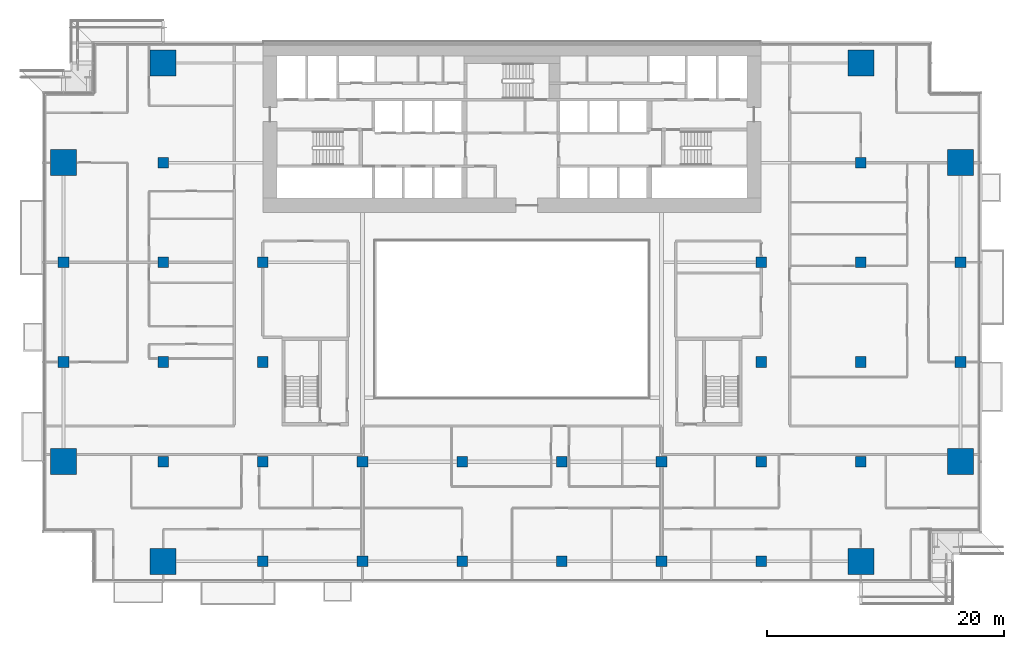
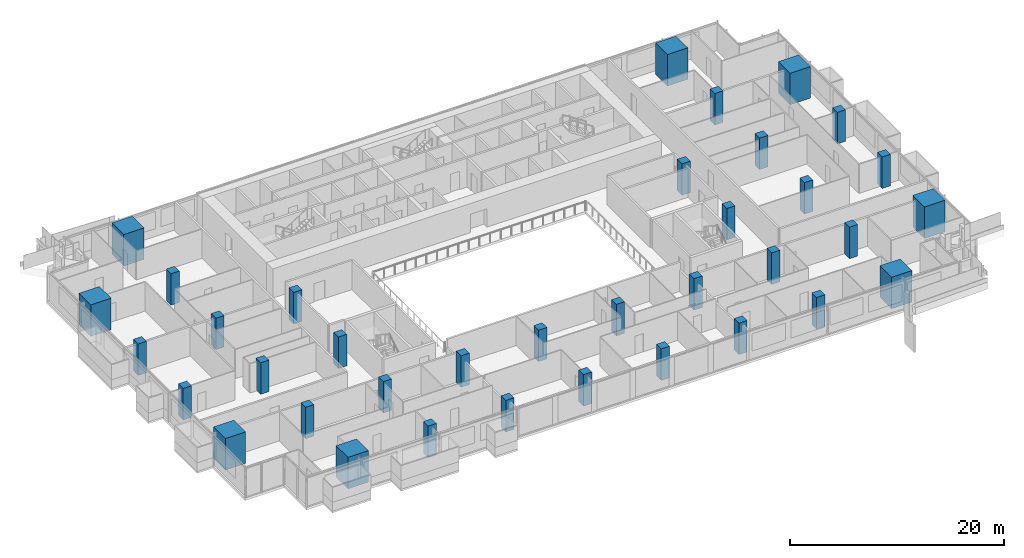
# One storey, part 1 of 29: 36 columns.
"""IFC4 building model written with IfcOpenShell, lengths in metres."""

from ifc_helpers import new_model, si_unit, direction, frame, origin, origin_2d, place, context, subcontext, project, spatial, rectangle, extrude, material, material_profile, profile_set, type_object, element, save


model = new_model("IFC4")

# Units and contexts
model_context = context("Model", 3, precision=1e-05, world=origin(), true_north=direction((0.0, 1.0)))
body_context = subcontext(model_context, "Body", "Model", "MODEL_VIEW")
ifc_project = project(units=[si_unit("LENGTHUNIT", "METRE"), si_unit("AREAUNIT", "SQUARE_METRE"), si_unit("VOLUMEUNIT", "CUBIC_METRE"), si_unit("PLANEANGLEUNIT", "RADIAN"), si_unit("MASSUNIT", "GRAM", prefix="KILO")], contexts=[model_context])

# Site, building, storey
site_placement = place(None, origin())
site = spatial("IfcSite", under=ifc_project, at=site_placement, CompositionType="ELEMENT")
building_placement = place(site_placement, origin())
building = spatial("IfcBuilding", under=site, at=building_placement, Name="Saffron Gate Tower", CompositionType="ELEMENT")
storey_placement = place(building_placement, frame((0.0, 0.0, 48.0)))
storey = spatial("IfcBuildingStorey", under=building, at=storey_placement, Name="L10", CompositionType="ELEMENT", Elevation=48.0)

# Columns
ifc_material_1 = material(Name="Concrete C60", Category="concrete")
ifc_material_profile_1 = material_profile(ifc_material_1, rectangle(XDim=0.89990234375, YDim=0.89990234375, at=origin_2d()))
ifc_profile_set_1 = profile_set([ifc_material_profile_1], Name="Concrete C60")
column_type_1 = type_object("IfcColumnType", Name="C6 RC 900x900 CONCRETE C60", PredefinedType="COLUMN", material=ifc_profile_set_1)
for number, where, z_axis, x_axis, name in (
    (1, (49.800048828125, 48.60009765625, 0.0), (0.0, 0.0, 1.0), (1.0, 0.0, 0.0), "C6 COLUMN X1-C"),
    (2, (49.800048828125, 57.0, 0.0), (0.0, 0.0, 1.0), (1.0, 0.0, 0.0), "C6 COLUMN X1-D"),
    (3, (58.199951171875, 40.199951171875, 0.0), (0.0, 0.0, 1.0), (1.0, 0.0, 0.0), "C6 COLUMN X2-B"),
    (4, (58.199951171875, 48.60009765625, 0.0), (0.0, 0.0, 1.0), (1.0, 0.0, 0.0), "C6 COLUMN X2-C"),
    (5, (58.199951171875, 57.0, 0.0), (0.0, 0.0, 1.0), (1.0, 0.0, 0.0), "C6 COLUMN X2-D"),
    (6, (58.199951171875, 65.39990234375, 0.0), (0.0, 0.0, 1.0), (1.0, 0.0, 0.0), "C6 COLUMN X2-E"),
    (7, (66.60009765625, 31.800048828125, 0.0), (0.0, 0.0, 1.0), (1.0, 0.0, 0.0), "C6 COLUMN X3-A"),
    (8, (66.60009765625, 40.199951171875, 0.0), (0.0, 0.0, 1.0), (1.0, 0.0, 0.0), "C6 COLUMN X3-B"),
    (9, (66.60009765625, 48.60009765625, 0.0), (0.0, 0.0, 1.0), (1.0, 0.0, 0.0), "C6 COLUMN X3-C"),
    (10, (66.60009765625, 57.0, 0.0), (0.0, 0.0, 1.0), (1.0, 0.0, 0.0), "C6 COLUMN X3-D"),
    (11, (75.0, 31.800048828125, 0.0), (0.0, 0.0, 1.0), (1.0, 0.0, 0.0), "C6 COLUMN X4-A"),
    (12, (75.0, 40.199951171875, 0.0), (0.0, 0.0, 1.0), (1.0, 0.0, 0.0), "C6 COLUMN X4-B"),
    (13, (83.39990234375, 31.800048828125, 0.0), (0.0, 0.0, 1.0), (1.0, 0.0, 0.0), "C6 COLUMN X5-A"),
    (14, (83.39990234375, 40.199951171875, 0.0), (0.0, 0.0, 1.0), (1.0, 0.0, 0.0), "C6 COLUMN X5-B"),
    (15, (91.800048828125, 31.800048828125, 0.0), (0.0, 0.0, 1.0), (1.0, 0.0, 0.0), "C6 COLUMN X6-A"),
    (16, (91.800048828125, 40.199951171875, 0.0), (0.0, 0.0, 1.0), (1.0, 0.0, 0.0), "C6 COLUMN X6-B"),
    (17, (100.199951171875, 31.800048828125, 0.0), (0.0, 0.0, 1.0), (1.0, 0.0, 0.0), "C6 COLUMN X7-A"),
    (18, (100.199951171875, 40.199951171875, 0.0), (0.0, 0.0, 1.0), (1.0, 0.0, 0.0), "C6 COLUMN X7-B"),
    (19, (108.60009765625, 31.800048828125, 0.0), (0.0, 0.0, 1.0), (1.0, 0.0, 0.0), "C6 COLUMN X8-A"),
    (20, (108.60009765625, 40.199951171875, 0.0), (0.0, 0.0, 1.0), (1.0, 0.0, 0.0), "C6 COLUMN X8-B"),
    (21, (108.60009765625, 48.60009765625, 0.0), (0.0, 0.0, 1.0), (1.0, 0.0, 0.0), "C6 COLUMN X8-C"),
    (22, (108.60009765625, 57.0, 0.0), (0.0, 0.0, 1.0), (1.0, 0.0, 0.0), "C6 COLUMN X8-D"),
    (23, (117.0, 40.199951171875, 0.0), (0.0, 0.0, 1.0), (1.0, 0.0, 0.0), "C6 COLUMN X9-B"),
    (24, (117.0, 48.60009765625, 0.0), (0.0, 0.0, 1.0), (1.0, 0.0, 0.0), "C6 COLUMN X9-C"),
    (25, (117.0, 57.0, 0.0), (0.0, 0.0, 1.0), (1.0, 0.0, 0.0), "C6 COLUMN X9-D"),
    (26, (117.0, 65.39990234375, 0.0), (0.0, 0.0, 1.0), (1.0, 0.0, 0.0), "C6 COLUMN X9-E"),
    (27, (125.39990234375, 48.60009765625, 0.0), (0.0, 0.0, 1.0), (1.0, 0.0, 0.0), "C6 COLUMN X10-C"),
    (28, (125.39990234375, 57.0, 0.0), (0.0, 0.0, 1.0), (1.0, 0.0, 0.0), "C6 COLUMN X10-D"),
):
    element("IfcColumn", number, at=place(storey_placement, frame(where, z_axis=z_axis, x_axis=x_axis)), inside=storey, type_object=column_type_1, Name=name, PredefinedType="COLUMN", context=body_context, shape_type="SweptSolid", body=[
        extrude(rectangle(XDim=0.89990234375, YDim=0.89990234375, at=origin_2d()), origin(), (0.0, 0.0, 1.0), 3.60009765625),
    ])
ifc_material_2 = material(Name="Concrete C80", Category="concrete")
ifc_material_profile_2 = material_profile(ifc_material_2, rectangle(XDim=2.199951171875, YDim=2.199951171875, at=origin_2d()))
ifc_profile_set_2 = profile_set([ifc_material_profile_2], Name="Concrete C80")
column_type_2 = type_object("IfcColumnType", Name="MC4 RC 2200x2200 CONCRETE C80", PredefinedType="COLUMN", material=ifc_profile_set_2)
for number, where, z_axis, x_axis, name in (
    (29, (49.800048828125, 40.199951171875, 0.0), (0.0, 0.0, 1.0), (1.0, 0.0, 0.0), "MC4 MEGA COLUMN X1-B"),
    (30, (49.800048828125, 65.39990234375, 0.0), (0.0, 0.0, 1.0), (1.0, 0.0, 0.0), "MC4 MEGA COLUMN X1-E"),
    (31, (58.199951171875, 31.800048828125, 0.0), (0.0, 0.0, 1.0), (1.0, 0.0, 0.0), "MC4 MEGA COLUMN X2-A"),
    (32, (58.199951171875, 73.800048828125, 0.0), (0.0, 0.0, 1.0), (1.0, 0.0, 0.0), "MC4 MEGA COLUMN X2-F"),
    (33, (117.0, 31.800048828125, 0.0), (0.0, 0.0, 1.0), (1.0, 0.0, 0.0), "MC4 MEGA COLUMN X9-A"),
    (34, (117.0, 73.800048828125, 0.0), (0.0, 0.0, 1.0), (1.0, 0.0, 0.0), "MC4 MEGA COLUMN X9-F"),
    (35, (125.39990234375, 40.199951171875, 0.0), (0.0, 0.0, 1.0), (1.0, 0.0, 0.0), "MC4 MEGA COLUMN X10-B"),
    (36, (125.39990234375, 65.39990234375, 0.0), (0.0, 0.0, 1.0), (1.0, 0.0, 0.0), "MC4 MEGA COLUMN X10-E"),
):
    element("IfcColumn", number, at=place(storey_placement, frame(where, z_axis=z_axis, x_axis=x_axis)), inside=storey, type_object=column_type_2, Name=name, PredefinedType="COLUMN", context=body_context, shape_type="SweptSolid", body=[
        extrude(rectangle(XDim=2.199951171875, YDim=2.199951171875, at=origin_2d()), origin(), (0.0, 0.0, 1.0), 3.60009765625),
    ])

save(model, "model.ifc")
